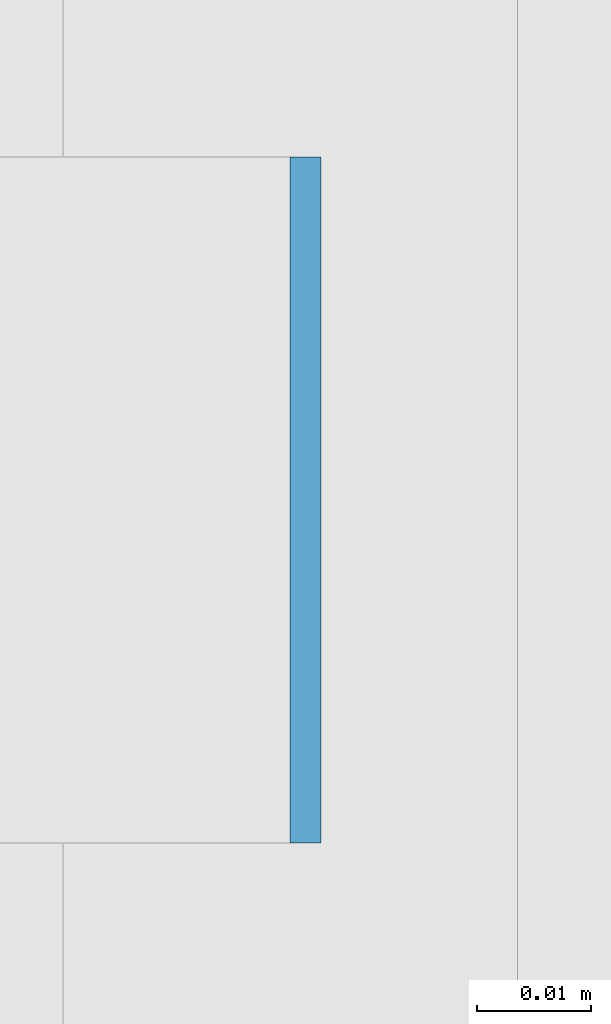
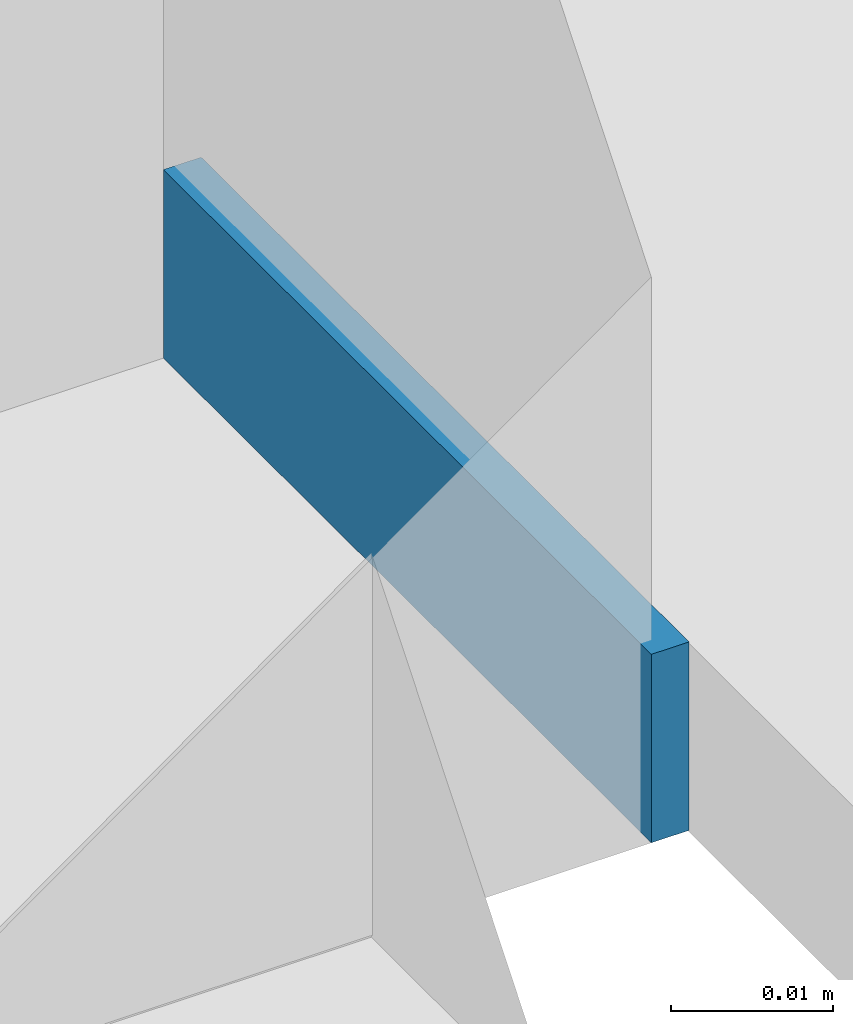
# One storey, part 276 of 646: 1 discrete accessory.
"""IFC4 building model written with IfcOpenShell, lengths in metres."""

from ifc_helpers import new_model, si_unit, direction, frame, origin, origin_2d, place, context, subcontext, project, spatial, rectangle, extrude, material, type_object, element, save


model = new_model("IFC4")

# Units and contexts
model_context = context("Model", 3, precision=1e-05, world=origin(), true_north=direction((0.0, 1.0)))
body_context = subcontext(model_context, "Body", "Model", "MODEL_VIEW")
ifc_project = project(units=[si_unit("LENGTHUNIT", "METRE"), si_unit("AREAUNIT", "SQUARE_METRE"), si_unit("VOLUMEUNIT", "CUBIC_METRE"), si_unit("PLANEANGLEUNIT", "RADIAN"), si_unit("MASSUNIT", "GRAM", prefix="KILO")], contexts=[model_context])

# Site, building, storey
site_placement = place(None, origin())
site = spatial("IfcSite", under=ifc_project, at=site_placement, CompositionType="ELEMENT")
building_placement = place(site_placement, origin())
building = spatial("IfcBuilding", under=site, at=building_placement, Name="Silverbay Arena", CompositionType="ELEMENT")
storey_placement = place(building_placement, frame((0.0, 0.0, 33.5)))
storey = spatial("IfcBuildingStorey", under=building, at=storey_placement, Name="L05", CompositionType="ELEMENT", Elevation=33.5)

# Discrete accessory
ifc_material = material(Name="Steel S355", Category="steel")
discrete_accessory_type = type_object("IfcDiscreteAccessoryType", Name="Steel bracket plate", PredefinedType="BRACKET", material=ifc_material)
discrete_accessory_placement = place(storey_placement, frame((53.871337890625, 48.857177734375, 4.0), z_axis=(0.0, 0.0, 1.0), x_axis=(1.0, 0.0, 0.0)))
element("IfcDiscreteAccessory", 1, at=discrete_accessory_placement, inside=storey, type_object=discrete_accessory_type, Name="Curtain wall packing plate", PredefinedType="BRACKET", context=body_context, shape_type="SweptSolid", body=[
    extrude(rectangle(XDim=0.002685546875, YDim=0.06005859375, at=origin_2d()), origin(), (0.0, 0.0, 1.0), 0.01416015625),
])

save(model, "model.ifc")
